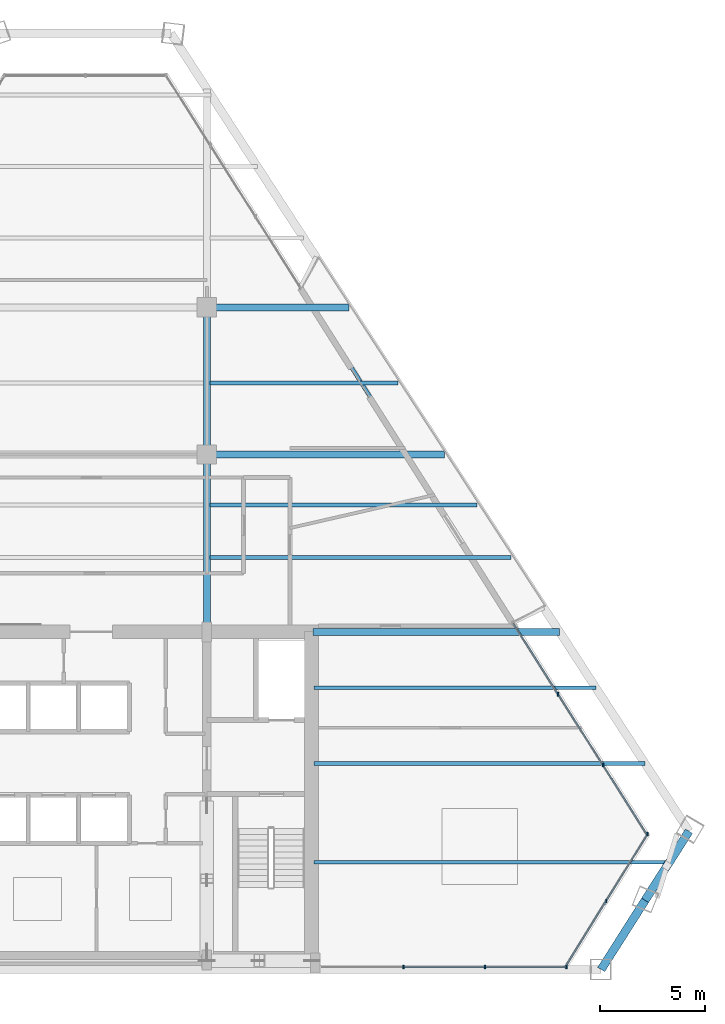
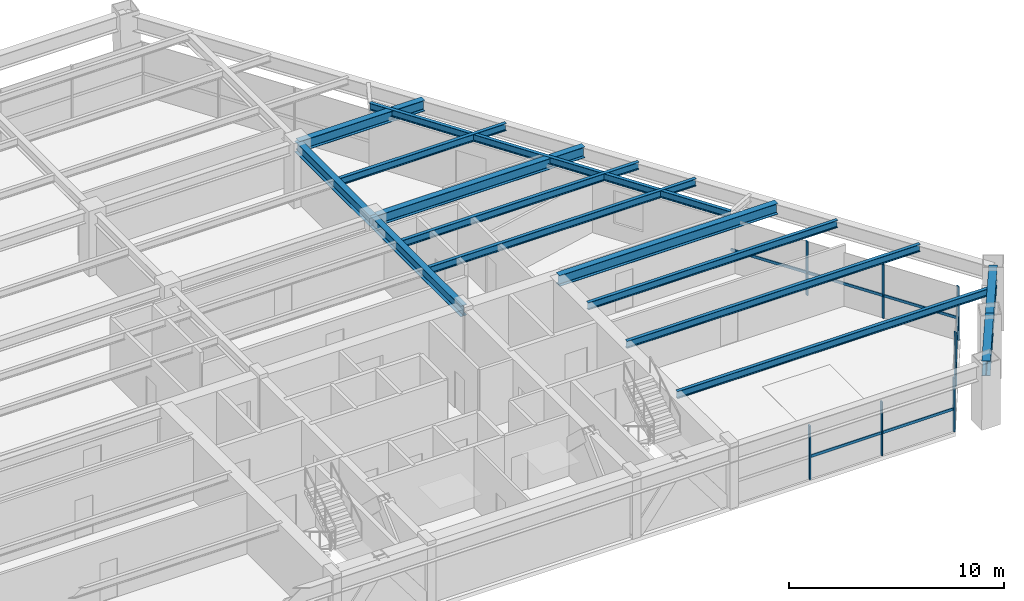
# One storey, part 6 of 15: 14 beams, 14 members, 3 elements without a shape of their own.
"""IFC4 building model written with IfcOpenShell, lengths in metres."""

from ifc_helpers import new_model, si_unit, direction, frame, origin, origin_2d, place, context, subcontext, project, spatial, rectangle, i_section, extrude, source, transform, mapped, material, material_profile, profile_set, type_object, type_shapes, element, aggregate, save


model = new_model("IFC4")

# Units and contexts
model_context = context("Model", 3, precision=1e-05, world=origin(), true_north=direction((0.0, 1.0)))
body_context = subcontext(model_context, "Body", "Model", "MODEL_VIEW")
ifc_project = project(units=[si_unit("LENGTHUNIT", "METRE"), si_unit("AREAUNIT", "SQUARE_METRE"), si_unit("VOLUMEUNIT", "CUBIC_METRE"), si_unit("PLANEANGLEUNIT", "RADIAN"), si_unit("MASSUNIT", "GRAM", prefix="KILO")], contexts=[model_context])

# Site, building, storey
site_placement = place(None, origin())
site = spatial("IfcSite", under=ifc_project, at=site_placement, CompositionType="ELEMENT")
building_placement = place(site_placement, origin())
building = spatial("IfcBuilding", under=site, at=building_placement, Name="Varnakhor Terracotta Tower", CompositionType="ELEMENT")
storey_placement = place(building_placement, frame((0.0, 0.0, 185.800048828125)))
storey = spatial("IfcBuildingStorey", under=building, at=storey_placement, Name="L47", CompositionType="ELEMENT", Elevation=185.800048828125)

# Beams
ifc_material_1 = material(Name="Steel S355", Category="steel")
ifc_material_profile_1 = material_profile(ifc_material_1, i_section(OverallWidth=0.324951171875, OverallDepth=0.615966796875, WebThickness=0.013916015625, FlangeThickness=0.02197265625, FilletRadius=0.01806640625, at=origin_2d()), Name="W24X117")
ifc_profile_set_1 = profile_set([ifc_material_profile_1], Name="Steel S355")
beam_type_1 = type_object("IfcBeamType", Name="BM-W24X117", PredefinedType="BEAM", material=ifc_profile_set_1)
shared_shape_1 = source(origin(), body_context, "Body", "SweptSolid", [
    extrude(i_section(OverallWidth=0.324951171875, OverallDepth=0.615966796875, WebThickness=0.013916015625, FlangeThickness=0.02197265625, FilletRadius=0.01806640625, at=origin_2d()), origin(), (0.0, 0.0, 1.0), 8.449951171875),
])
type_shapes(beam_type_1, [shared_shape_1])
beam_1_placement = place(storey_placement, frame((5.5, 16.050048828125, 3.161865234375), z_axis=(0.0, 1.0, 0.0), x_axis=(-1.0, 0.0, 0.0)))
element("IfcBeam", 1, at=beam_1_placement, inside=storey, type_object=beam_type_1, Name="L47 Primary Girder NS1-E", PredefinedType="BEAM", context=body_context, shape_type="MappedRepresentation", body=[
    mapped(shared_shape_1, transform((0.0, 0.0, 0.0), scale=1.0)),
])
shared_shape_2 = source(origin(), body_context, "Body", "SweptSolid", [
    extrude(i_section(OverallWidth=0.324951171875, OverallDepth=0.615966796875, WebThickness=0.013916015625, FlangeThickness=0.02197265625, FilletRadius=0.01806640625, at=origin_2d()), origin(), (0.0, 0.0, 1.0), 7.0),
])
beam_2_placement = place(storey_placement, frame((5.5, 24.5, 3.161865234375), z_axis=(0.0, 1.0, 0.0), x_axis=(-1.0, 0.0, 0.0)))
element("IfcBeam", 2, at=beam_2_placement, inside=storey, type_object=beam_type_1, Name="L47 Primary Girder NS2-E", PredefinedType="BEAM", context=body_context, shape_type="MappedRepresentation", body=[
    mapped(shared_shape_2, transform((0.0, 0.0, 0.0), scale=1.0)),
])
ifc_material_profile_2 = material_profile(ifc_material_1, i_section(OverallWidth=0.39990234375, OverallDepth=0.85498046875, WebThickness=0.01806640625, FlangeThickness=0.029052734375, FilletRadius=0.01806640625, at=origin_2d()), Name="W33X201")
ifc_profile_set_2 = profile_set([ifc_material_profile_2], Name="Steel S355")
beam_type_2 = type_object("IfcBeamType", Name="BM-W33X201", PredefinedType="BEAM", material=ifc_profile_set_2)
shared_shape_3 = source(origin(), body_context, "Body", "SweptSolid", [
    extrude(i_section(OverallWidth=0.39990234375, OverallDepth=0.85498046875, WebThickness=0.01806640625, FlangeThickness=0.029052734375, FilletRadius=0.01806640625, at=origin_2d()), origin(), (0.0, 0.0, 1.0), 3.896728515625),
])
for number, where, z_axis, x_axis, name in (
    (3, (24.257568359375, 0.0, 3.04248046875), (0.536291604806, 0.844032768685, 0.0), (-0.844032768685, 0.536291604806, 0.0), "L47 Perimeter Spandrel 2"),
    (4, (26.347412109375, 3.2890625, 3.04248046875), (0.536319964783, 0.844014748316, 0.0), (-0.844014748316, 0.536319964783, 0.0), "L47 Perimeter Spandrel 3"),
):
    element("IfcBeam", number, at=place(storey_placement, frame(where, z_axis=z_axis, x_axis=x_axis)), inside=storey, type_object=beam_type_2, Name=name, PredefinedType="BEAM", context=body_context, shape_type="MappedRepresentation", body=[
        mapped(shared_shape_3, transform((0.0, 0.0, 0.0), scale=1.0)),
    ])
ifc_material_profile_3 = material_profile(ifc_material_1, i_section(OverallWidth=0.179931640625, OverallDepth=0.39990234375, WebThickness=0.008544921875, FlangeThickness=0.013427734375, FilletRadius=0.01806640625, at=origin_2d()), Name="IPE400")
ifc_profile_set_3 = profile_set([ifc_material_profile_3], Name="Steel S355")
beam_type_3 = type_object("IfcBeamType", Name="JST-IPE400", PredefinedType="JOIST", material=ifc_profile_set_3)
shared_shape_4 = source(origin(), body_context, "Body", "SweptSolid", [
    extrude(i_section(OverallWidth=0.179931640625, OverallDepth=0.39990234375, WebThickness=0.008544921875, FlangeThickness=0.013427734375, FilletRadius=0.01806640625, at=origin_2d()), origin(), (0.0, 0.0, 1.0), 18.931884765625),
])
beam_3_placement = place(storey_placement, frame((20.07763671875, 16.4794921875, 3.27001953125), z_axis=(-0.534877194705, 0.844929811632, 0.0), x_axis=(-0.844929811632, -0.534877194705, 0.0)))
element("IfcBeam", 5, at=beam_3_placement, inside=storey, type_object=beam_type_3, Name="L47 Loggia Edge Beam 1", PredefinedType="JOIST", context=body_context, shape_type="MappedRepresentation", body=[
    mapped(shared_shape_4, transform((0.0, 0.0, 0.0), scale=1.0)),
])
shared_shape_5 = source(origin(), body_context, "Body", "SweptSolid", [
    extrude(i_section(OverallWidth=0.324951171875, OverallDepth=0.615966796875, WebThickness=0.013916015625, FlangeThickness=0.02197265625, FilletRadius=0.01806640625, at=origin_2d()), origin(), (0.0, 0.0, 1.0), 11.73486328125),
])
beam_4_placement = place(storey_placement, frame((10.550048828125, 16.050048828125, 3.161865234375), z_axis=(1.0, 0.0, 0.0), x_axis=(0.0, 1.0, 0.0)))
element("IfcBeam", 6, at=beam_4_placement, inside=storey, type_object=beam_type_1, Name="L47 Wing Girder E", PredefinedType="BEAM", context=body_context, shape_type="MappedRepresentation", body=[
    mapped(shared_shape_5, transform((0.0, 0.0, 0.0), scale=1.0)),
])
shared_shape_6 = source(origin(), body_context, "Body", "SweptSolid", [
    extrude(i_section(OverallWidth=0.324951171875, OverallDepth=0.615966796875, WebThickness=0.013916015625, FlangeThickness=0.02197265625, FilletRadius=0.01806640625, at=origin_2d()), origin(), (0.0, 0.0, 1.0), 11.296630859375),
])
beam_5_placement = place(storey_placement, frame((5.5, 24.5, 3.161865234375), z_axis=(1.0, 0.0, 0.0), x_axis=(0.0, 1.0, 0.0)))
element("IfcBeam", 7, at=beam_5_placement, inside=storey, type_object=beam_type_1, Name="L47 Primary Girder EW2-3", PredefinedType="BEAM", context=body_context, shape_type="MappedRepresentation", body=[
    mapped(shared_shape_6, transform((0.0, 0.0, 0.0), scale=1.0)),
])
shared_shape_7 = source(origin(), body_context, "Body", "SweptSolid", [
    extrude(i_section(OverallWidth=0.324951171875, OverallDepth=0.615966796875, WebThickness=0.013916015625, FlangeThickness=0.02197265625, FilletRadius=0.01806640625, at=origin_2d()), origin(), (0.0, 0.0, 1.0), 6.75),
])
beam_6_placement = place(storey_placement, frame((5.5, 31.5, 3.161865234375), z_axis=(1.0, 0.0, 0.0), x_axis=(0.0, 1.0, 0.0)))
element("IfcBeam", 8, at=beam_6_placement, inside=storey, type_object=beam_type_1, Name="L47 Primary Girder EW3-3", PredefinedType="BEAM", context=body_context, shape_type="MappedRepresentation", body=[
    mapped(shared_shape_7, transform((0.0, 0.0, 0.0), scale=1.0)),
])
ifc_material_profile_4 = material_profile(ifc_material_1, i_section(OverallWidth=0.179931640625, OverallDepth=0.4130859375, WebThickness=0.009765625, FlangeThickness=0.01611328125, FilletRadius=0.01806640625, at=origin_2d()), Name="W16X50")
ifc_profile_set_4 = profile_set([ifc_material_profile_4], Name="Steel S355")
beam_type_4 = type_object("IfcBeamType", Name="JST-W16X50", PredefinedType="JOIST", material=ifc_profile_set_4)
shared_shape_8 = source(origin(), body_context, "Body", "SweptSolid", [
    extrude(i_section(OverallWidth=0.179931640625, OverallDepth=0.4130859375, WebThickness=0.009765625, FlangeThickness=0.01611328125, FilletRadius=0.01806640625, at=origin_2d()), origin(), (0.0, 0.0, 1.0), 16.89794921875),
])
beam_7_placement = place(storey_placement, frame((10.60009765625, 5.10009765625, 3.263427734375), z_axis=(1.0, 0.0, 0.0), x_axis=(0.0, 1.0, 0.0)))
element("IfcBeam", 9, at=beam_7_placement, inside=storey, type_object=beam_type_4, Name="L47 Floor Joist E1", PredefinedType="JOIST", context=body_context, shape_type="MappedRepresentation", body=[
    mapped(shared_shape_8, transform((0.0, 0.0, 0.0), scale=1.0)),
])
shared_shape_9 = source(origin(), body_context, "Body", "SweptSolid", [
    extrude(i_section(OverallWidth=0.179931640625, OverallDepth=0.4130859375, WebThickness=0.009765625, FlangeThickness=0.01611328125, FilletRadius=0.01806640625, at=origin_2d()), origin(), (0.0, 0.0, 1.0), 15.744384765625),
])
beam_8_placement = place(storey_placement, frame((10.60009765625, 9.800048828125, 3.263427734375), z_axis=(1.0, 0.0, 0.0), x_axis=(0.0, 1.0, 0.0)))
element("IfcBeam", 10, at=beam_8_placement, inside=storey, type_object=beam_type_4, Name="L47 Floor Joist E2", PredefinedType="JOIST", context=body_context, shape_type="MappedRepresentation", body=[
    mapped(shared_shape_9, transform((0.0, 0.0, 0.0), scale=1.0)),
])
shared_shape_10 = source(origin(), body_context, "Body", "SweptSolid", [
    extrude(i_section(OverallWidth=0.179931640625, OverallDepth=0.4130859375, WebThickness=0.009765625, FlangeThickness=0.01611328125, FilletRadius=0.01806640625, at=origin_2d()), origin(), (0.0, 0.0, 1.0), 13.406005859375),
])
beam_9_placement = place(storey_placement, frame((10.60009765625, 13.39990234375, 3.263427734375), z_axis=(1.0, 0.0, 0.0), x_axis=(0.0, 1.0, 0.0)))
element("IfcBeam", 11, at=beam_9_placement, inside=storey, type_object=beam_type_4, Name="L47 Floor Joist E3", PredefinedType="JOIST", context=body_context, shape_type="MappedRepresentation", body=[
    mapped(shared_shape_10, transform((0.0, 0.0, 0.0), scale=1.0)),
])
shared_shape_11 = source(origin(), body_context, "Body", "SweptSolid", [
    extrude(i_section(OverallWidth=0.179931640625, OverallDepth=0.4130859375, WebThickness=0.009765625, FlangeThickness=0.01611328125, FilletRadius=0.01806640625, at=origin_2d()), origin(), (0.0, 0.0, 1.0), 14.32080078125),
])
beam_10_placement = place(storey_placement, frame((5.658447265625, 19.60009765625, 3.263427734375), z_axis=(1.0, 0.0, 0.0), x_axis=(0.0, 1.0, 0.0)))
element("IfcBeam", 12, at=beam_10_placement, inside=storey, type_object=beam_type_4, Name="L47 Composite Floor Joist 4-3", PredefinedType="JOIST", context=body_context, shape_type="MappedRepresentation", body=[
    mapped(shared_shape_11, transform((0.0, 0.0, 0.0), scale=1.0)),
])
shared_shape_12 = source(origin(), body_context, "Body", "SweptSolid", [
    extrude(i_section(OverallWidth=0.179931640625, OverallDepth=0.4130859375, WebThickness=0.009765625, FlangeThickness=0.01611328125, FilletRadius=0.01806640625, at=origin_2d()), origin(), (0.0, 0.0, 1.0), 12.697021484375),
])
beam_11_placement = place(storey_placement, frame((5.658447265625, 22.10009765625, 3.263427734375), z_axis=(1.0, 0.0, 0.0), x_axis=(0.0, 1.0, 0.0)))
element("IfcBeam", 13, at=beam_11_placement, inside=storey, type_object=beam_type_4, Name="L47 Composite Floor Joist 5-3", PredefinedType="JOIST", context=body_context, shape_type="MappedRepresentation", body=[
    mapped(shared_shape_12, transform((0.0, 0.0, 0.0), scale=1.0)),
])
shared_shape_13 = source(origin(), body_context, "Body", "SweptSolid", [
    extrude(i_section(OverallWidth=0.179931640625, OverallDepth=0.4130859375, WebThickness=0.009765625, FlangeThickness=0.01611328125, FilletRadius=0.01806640625, at=origin_2d()), origin(), (0.0, 0.0, 1.0), 8.929931640625),
])
beam_12_placement = place(storey_placement, frame((5.658447265625, 27.89990234375, 3.263427734375), z_axis=(1.0, 0.0, 0.0), x_axis=(0.0, 1.0, 0.0)))
element("IfcBeam", 14, at=beam_12_placement, inside=storey, type_object=beam_type_4, Name="L47 Composite Floor Joist 6-3", PredefinedType="JOIST", context=body_context, shape_type="MappedRepresentation", body=[
    mapped(shared_shape_13, transform((0.0, 0.0, 0.0), scale=1.0)),
])

# Curtain wall, members
ifc_material_2 = material(Name="Anodised Aluminium Curtain Wall System", Category="aluminium")
curtain_wall_type = type_object("IfcCurtainWallType", Name="CW-SYS-MID-OFFICE", PredefinedType="NOTDEFINED", material=ifc_material_2)
curtain_wall_1_placement = place(storey_placement, origin())
curtain_wall_1 = element("IfcCurtainWall", 15, at=curtain_wall_1_placement, inside=storey, type_object=curtain_wall_type, Name="L47 E Facet Curtain Wall 2", PredefinedType="NOTDEFINED")
ifc_material_3 = material(Name="Anodised Aluminium 6063-T6", Category="aluminium")
ifc_material_profile_5 = material_profile(ifc_material_3, rectangle(XDim=0.070068359375, YDim=0.175048828125, at=origin_2d()), Name="ALU MULLION 70x175")
ifc_profile_set_5 = profile_set([ifc_material_profile_5], Name="Anodised Aluminium 6063-T6")
member_type_1 = type_object("IfcMemberType", Name="CWM-03", PredefinedType="MULLION", material=ifc_profile_set_5)
shared_shape_14 = source(origin(), body_context, "Body", "SweptSolid", [
    extrude(rectangle(XDim=0.070068359375, YDim=0.175048828125, at=origin_2d()), origin(), (0.0, 0.0, 1.0), 3.050048828125),
])
member_1_placement = place(storey_placement, frame((22.208251953125, 13.096435546875, 0.0), z_axis=(0.0, 0.0, 1.0), x_axis=(1.0, 0.0, 0.0)))
member_1 = element("IfcMember", 16, at=member_1_placement, type_object=member_type_1, Name="L47 E Facet Curtain Wall 2 Mullion 2", PredefinedType="MULLION", context=body_context, shape_type="MappedRepresentation", body=[
    mapped(shared_shape_14, transform((0.0, 0.0, 0.0), scale=1.0)),
])
member_2_placement = place(storey_placement, frame((24.340087890625, 9.73095703125, 0.0), z_axis=(0.0, 0.0, 1.0), x_axis=(1.0, 0.0, 0.0)))
member_2 = element("IfcMember", 17, at=member_2_placement, type_object=member_type_1, Name="L47 E Facet Curtain Wall 2 Mullion 3", PredefinedType="MULLION", context=body_context, shape_type="MappedRepresentation", body=[
    mapped(shared_shape_14, transform((0.0, 0.0, 0.0), scale=1.0)),
])

curtain_wall_2_placement = place(storey_placement, origin())
curtain_wall_2 = element("IfcCurtainWall", 18, at=curtain_wall_2_placement, inside=storey, type_object=curtain_wall_type, Name="L47 Facet Curtain Wall 4", PredefinedType="NOTDEFINED")
member_3_placement = place(storey_placement, frame((26.4716796875, 6.442138671875, 0.0), z_axis=(0.0, 0.0, 1.0), x_axis=(1.0, 0.0, 0.0)))
member_3 = element("IfcMember", 19, at=member_3_placement, type_object=member_type_1, Name="L47 Facet Curtain Wall 4 Mullion 1", PredefinedType="MULLION", context=body_context, shape_type="MappedRepresentation", body=[
    mapped(shared_shape_14, transform((0.0, 0.0, 0.0), scale=1.0)),
])
member_4_placement = place(storey_placement, frame((24.5, 3.265380859375, 0.0), z_axis=(0.0, 0.0, 1.0), x_axis=(1.0, 0.0, 0.0)))
member_4 = element("IfcMember", 20, at=member_4_placement, type_object=member_type_1, Name="L47 Facet Curtain Wall 4 Mullion 2", PredefinedType="MULLION", context=body_context, shape_type="MappedRepresentation", body=[
    mapped(shared_shape_14, transform((0.0, 0.0, 0.0), scale=1.0)),
])

curtain_wall_3_placement = place(storey_placement, origin())
curtain_wall_3 = element("IfcCurtainWall", 21, at=curtain_wall_3_placement, inside=storey, type_object=curtain_wall_type, Name="L47 South Wing Curtain Wall SSE", PredefinedType="NOTDEFINED")
member_5_placement = place(storey_placement, frame((22.604248046875, 0.1201171875, 0.0), z_axis=(0.0, 0.0, 1.0), x_axis=(1.0, 0.0, 0.0)))
member_5 = element("IfcMember", 22, at=member_5_placement, type_object=member_type_1, Name="L47 South Wing Curtain Wall SSE Mullion 1", PredefinedType="MULLION", context=body_context, shape_type="MappedRepresentation", body=[
    mapped(shared_shape_14, transform((0.0, 0.0, 0.0), scale=1.0)),
])
member_6_placement = place(storey_placement, frame((18.726318359375, 0.1201171875, 0.0), z_axis=(0.0, 0.0, 1.0), x_axis=(1.0, 0.0, 0.0)))
member_6 = element("IfcMember", 23, at=member_6_placement, type_object=member_type_1, Name="L47 South Wing Curtain Wall SSE Mullion 2", PredefinedType="MULLION", context=body_context, shape_type="MappedRepresentation", body=[
    mapped(shared_shape_14, transform((0.0, 0.0, 0.0), scale=1.0)),
])
member_7_placement = place(storey_placement, frame((14.84814453125, 0.1201171875, 0.0), z_axis=(0.0, 0.0, 1.0), x_axis=(1.0, 0.0, 0.0)))
member_7 = element("IfcMember", 24, at=member_7_placement, type_object=member_type_1, Name="L47 South Wing Curtain Wall SSE Mullion 3", PredefinedType="MULLION", context=body_context, shape_type="MappedRepresentation", body=[
    mapped(shared_shape_14, transform((0.0, 0.0, 0.0), scale=1.0)),
])

# Member
ifc_material_profile_6 = material_profile(ifc_material_3, rectangle(XDim=0.070068359375, YDim=0.155029296875, at=origin_2d()), Name="ALU TRANSOM 70x155")
ifc_profile_set_6 = profile_set([ifc_material_profile_6], Name="Anodised Aluminium 6063-T6")
member_type_2 = type_object("IfcMemberType", Name="CWT-03", PredefinedType="USERDEFINED", material=ifc_profile_set_6)
shared_shape_15 = source(origin(), body_context, "Body", "SweptSolid", [
    extrude(rectangle(XDim=0.070068359375, YDim=0.155029296875, at=origin_2d()), origin(), (0.0, 0.0, 1.0), 3.98388671875),
])
member_8_placement = place(storey_placement, frame((20.076416015625, 16.4619140625, 1.281005859375), z_axis=(0.535117687188, -0.844777521516, 0.0), x_axis=(0.844777521516, 0.535117687188, 0.0)))
member_8 = element("IfcMember", 25, at=member_8_placement, type_object=member_type_2, Name="L47 E Facet Curtain Wall 2 Transom 1", ObjectType="TRANSOM", PredefinedType="USERDEFINED", context=body_context, shape_type="MappedRepresentation", body=[
    mapped(shared_shape_15, transform((0.0, 0.0, 0.0), scale=1.0)),
])

member_9_placement = place(storey_placement, frame((22.208251953125, 13.096435546875, 1.281005859375), z_axis=(0.535117687188, -0.844777521516, 0.0), x_axis=(0.844777521516, 0.535117687188, 0.0)))
member_9 = element("IfcMember", 26, at=member_9_placement, type_object=member_type_2, Name="L47 E Facet Curtain Wall 2 Transom 2", ObjectType="TRANSOM", PredefinedType="USERDEFINED", context=body_context, shape_type="MappedRepresentation", body=[
    mapped(shared_shape_15, transform((0.0, 0.0, 0.0), scale=1.0)),
])

member_10_placement = place(storey_placement, frame((24.340087890625, 9.73095703125, 1.281005859375), z_axis=(0.535161419145, -0.844749818265, 0.0), x_axis=(0.844749818265, 0.535161419145, 0.0)))
member_10 = element("IfcMember", 27, at=member_10_placement, type_object=member_type_2, Name="L47 E Facet Curtain Wall 2 Transom 3", ObjectType="TRANSOM", PredefinedType="USERDEFINED", context=body_context, shape_type="MappedRepresentation", body=[
    mapped(shared_shape_15, transform((0.0, 0.0, 0.0), scale=1.0)),
])

aggregate(curtain_wall_1, [member_8, member_1, member_9, member_2, member_10])

shared_shape_16 = source(origin(), body_context, "Body", "SweptSolid", [
    extrude(rectangle(XDim=0.070068359375, YDim=0.155029296875, at=origin_2d()), origin(), (0.0, 0.0, 1.0), 3.739013671875),
])
member_11_placement = place(storey_placement, frame((26.4716796875, 6.442138671875, 1.281005859375), z_axis=(-0.527343356436, -0.849652272652, 0.0), x_axis=(0.849652272652, -0.527343356436, 0.0)))
member_11 = element("IfcMember", 28, at=member_11_placement, type_object=member_type_2, Name="L47 Facet Curtain Wall 4 Transom 1", ObjectType="TRANSOM", PredefinedType="USERDEFINED", context=body_context, shape_type="MappedRepresentation", body=[
    mapped(shared_shape_16, transform((0.0, 0.0, 0.0), scale=1.0)),
])

shared_shape_17 = source(origin(), body_context, "Body", "SweptSolid", [
    extrude(rectangle(XDim=0.070068359375, YDim=0.155029296875, at=origin_2d()), origin(), (0.0, 0.0, 1.0), 3.73876953125),
])
member_12_placement = place(storey_placement, frame((24.5, 3.265380859375, 1.281005859375), z_axis=(-0.527372614886, -0.849634112467, 0.0), x_axis=(0.849634112467, -0.527372614886, 0.0)))
member_12 = element("IfcMember", 29, at=member_12_placement, type_object=member_type_2, Name="L47 Facet Curtain Wall 4 Transom 2", ObjectType="TRANSOM", PredefinedType="USERDEFINED", context=body_context, shape_type="MappedRepresentation", body=[
    mapped(shared_shape_17, transform((0.0, 0.0, 0.0), scale=1.0)),
])

aggregate(curtain_wall_2, [member_3, member_11, member_4, member_12])

shared_shape_18 = source(origin(), body_context, "Body", "SweptSolid", [
    extrude(rectangle(XDim=0.070068359375, YDim=0.155029296875, at=origin_2d()), origin(), (0.0, 0.0, 1.0), 3.8779296875),
])
member_13_placement = place(storey_placement, frame((22.604248046875, 0.1201171875, 1.281005859375), z_axis=(-1.0, 0.0, 0.0), x_axis=(0.0, -1.0, 0.0)))
member_13 = element("IfcMember", 30, at=member_13_placement, type_object=member_type_2, Name="L47 South Wing Curtain Wall SSE Transom 1", ObjectType="TRANSOM", PredefinedType="USERDEFINED", context=body_context, shape_type="MappedRepresentation", body=[
    mapped(shared_shape_18, transform((0.0, 0.0, 0.0), scale=1.0)),
])

shared_shape_19 = source(origin(), body_context, "Body", "SweptSolid", [
    extrude(rectangle(XDim=0.070068359375, YDim=0.155029296875, at=origin_2d()), origin(), (0.0, 0.0, 1.0), 3.878173828125),
])
member_14_placement = place(storey_placement, frame((18.726318359375, 0.1201171875, 1.281005859375), z_axis=(-1.0, 0.0, 0.0), x_axis=(0.0, -1.0, 0.0)))
member_14 = element("IfcMember", 31, at=member_14_placement, type_object=member_type_2, Name="L47 South Wing Curtain Wall SSE Transom 2", ObjectType="TRANSOM", PredefinedType="USERDEFINED", context=body_context, shape_type="MappedRepresentation", body=[
    mapped(shared_shape_19, transform((0.0, 0.0, 0.0), scale=1.0)),
])

aggregate(curtain_wall_3, [member_5, member_13, member_6, member_14, member_7])

save(model, "model.ifc")
